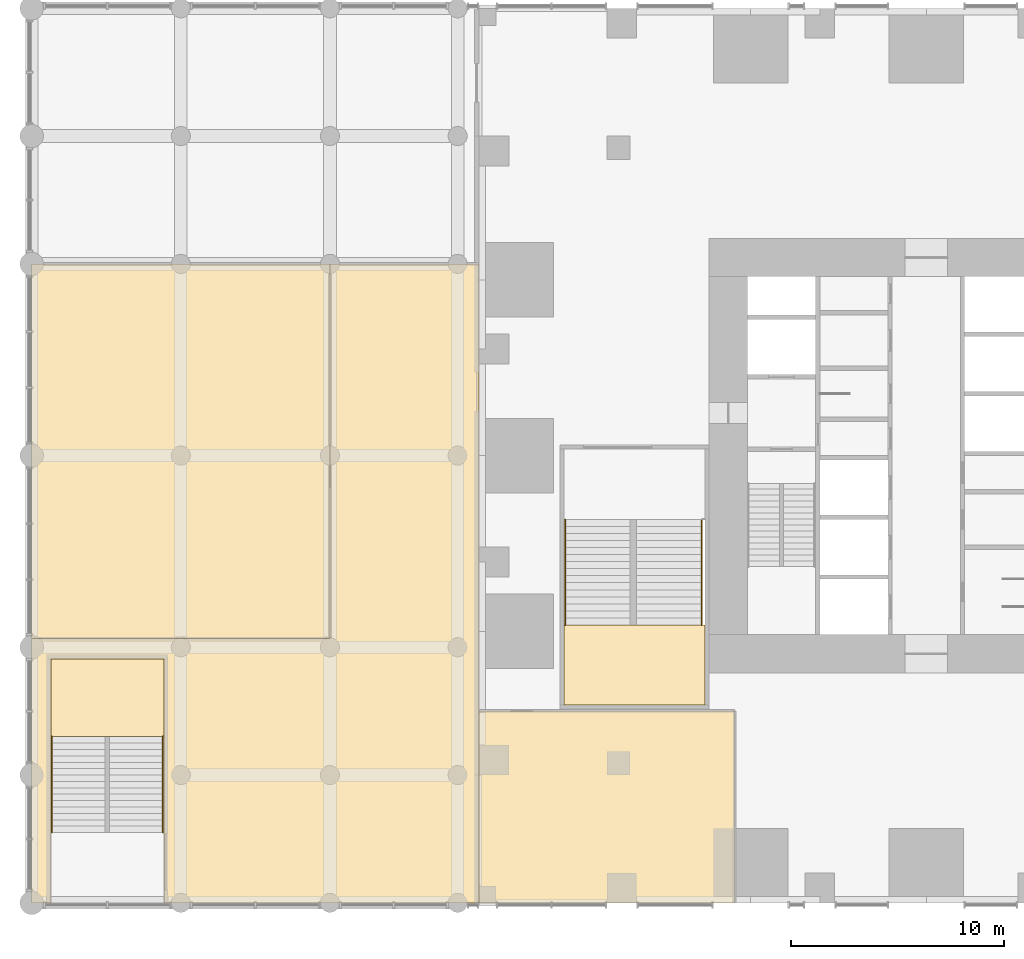
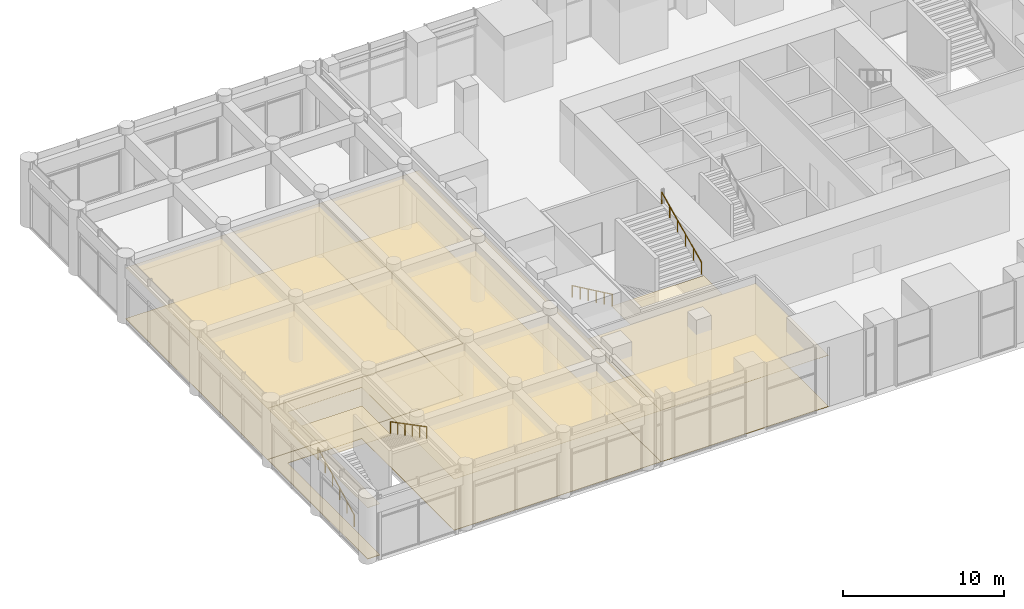
# One storey, part 19 of 23: 8 coverings, 4 railings.
"""IFC4 building model written with IfcOpenShell, lengths in metres."""

import ifcopenshell
import ifcopenshell.guid

model = None  # the IFC model being written
_history = None  # IfcOwnerHistory: only IFC2X3 demands one
_inside = {}  # id of a spatial element -> (the spatial element, [elements in it])
_under = {}  # id of a project, library or spatial element -> (it, [spatial elements below it])
_declared = {}  # id of a project -> (the project, [libraries it declares])
_typed = {}  # id of a type object -> (the type object, [elements of that type])
_made_of = {}  # id of a material, layer set ... -> (it, [elements and type objects made of it])


def new_model(schema):
    """Start an empty IFC model of exactly this schema.

    Asked for "IFC4X3", IfcOpenShell would pick the latest addendum, in which some entities
    have other attributes; the version numbers below select the first issue.
    IFC2X3 requires an IfcOwnerHistory on every rooted entity: one is made here for all.
    """
    global model, _history
    if schema == "IFC4X3":
        model = ifcopenshell.file(schema_version=(4, 3, 0, 0))
    else:
        model = ifcopenshell.file(schema=schema)
    _inside.clear()
    _under.clear()
    _declared.clear()
    _typed.clear()
    _made_of.clear()
    _history = None
    if model.schema == "IFC2X3":
        org = make("IfcOrganization", Name="unknown")
        user = make(
            "IfcPersonAndOrganization",
            ThePerson=make("IfcPerson", FamilyName="unknown"),
            TheOrganization=org,
        )
        app = make(
            "IfcApplication",
            ApplicationDeveloper=org,
            Version="unknown",
            ApplicationFullName="unknown",
            ApplicationIdentifier="unknown",
        )
        _history = make(
            "IfcOwnerHistory",
            OwningUser=user,
            OwningApplication=app,
            ChangeAction="ADDED",
            CreationDate=0,
        )
    return model


def make(cls, **values):
    """One entity of the class cls with the attributes given. An attribute that is None is left unset."""
    return model.create_entity(
        cls, **{name: value for name, value in values.items() if value is not None}
    )


def rooted(cls, **values):
    """An entity with a GlobalId (a new one), such as an element, a storey or a relation."""
    return make(cls, GlobalId=ifcopenshell.guid.new(), OwnerHistory=_history, **values)


def si_unit(unit_type, name, prefix=None):
    """IfcSIUnit, for example si_unit("LENGTHUNIT", "METRE", prefix="MILLI")."""
    return make("IfcSIUnit", UnitType=unit_type, Prefix=prefix, Name=name)


def assignment(units):
    """IfcUnitAssignment: the units of a project."""
    return None if units is None else make("IfcUnitAssignment", Units=units)


def point(xyz):
    """IfcCartesianPoint."""
    return None if xyz is None else make("IfcCartesianPoint", Coordinates=xyz)


def direction(xyz):
    """IfcDirection."""
    return None if xyz is None else make("IfcDirection", DirectionRatios=xyz)


def frame(location, z_axis=None, x_axis=None):
    """IfcAxis2Placement3D, a coordinate frame: its origin and axes. An axis left out is left unset."""
    return make(
        "IfcAxis2Placement3D",
        Location=point(location),
        Axis=direction(z_axis),
        RefDirection=direction(x_axis),
    )


def frame_2d(location, x_axis=None):
    """IfcAxis2Placement2D, a coordinate frame in the plane: its origin and x axis."""
    return make(
        "IfcAxis2Placement2D", Location=point(location), RefDirection=direction(x_axis)
    )


def origin():
    """The frame at (0, 0, 0) with its axes left unset."""
    return frame((0.0, 0.0, 0.0))


def origin_2d():
    """The frame at (0, 0) in the plane with its x axis left unset."""
    return frame_2d((0.0, 0.0))


def place(relative_to, where):
    """IfcLocalPlacement: puts the frame where relative to a parent placement (None: the world)."""
    return make(
        "IfcLocalPlacement", PlacementRelTo=relative_to, RelativePlacement=where
    )


def context(
    kind, dimensions, precision=None, world=None, true_north=None, identifier=None
):
    """IfcGeometricRepresentationContext, for example the 3D "Model" context."""
    return make(
        "IfcGeometricRepresentationContext",
        ContextIdentifier=identifier,
        ContextType=kind,
        CoordinateSpaceDimension=dimensions,
        Precision=precision,
        WorldCoordinateSystem=world,
        TrueNorth=true_north,
    )


def subcontext(parent, identifier, kind, view, scale=None):
    """IfcGeometricRepresentationSubContext, for example "Body" below "Model"."""
    return make(
        "IfcGeometricRepresentationSubContext",
        ContextIdentifier=identifier,
        ContextType=kind,
        ParentContext=parent,
        TargetScale=scale,
        TargetView=view,
    )


def project(units=None, contexts=None):
    """IfcProject with its units and contexts."""
    return rooted(
        "IfcProject",
        Name="project",
        RepresentationContexts=contexts,
        UnitsInContext=assignment(units),
    )


def spatial(cls, under=None, at=None, **own):
    """A site, building, storey or space (cls), placed at a placement, below another one or the project."""
    s = rooted(cls, ObjectPlacement=at, **own)
    if under is not None:
        _under.setdefault(under.id(), (under, []))[1].append(s)
    return s


def polyline(points):
    """IfcPolyline through the points."""
    return make("IfcPolyline", Points=[point(p) for p in points])


def profile(cls, at=None, kind="AREA", **sizes):
    """A parametric profile (cls). Its sizes go by their IFC names, for example OverallWidth=200.0."""
    return make(cls, ProfileType=kind, Position=at, **sizes)


def circle(**sizes):
    """IfcCircleProfileDef."""
    return profile("IfcCircleProfileDef", **sizes)


def outline(outer, holes=None, kind="AREA"):
    """IfcArbitraryClosedProfileDef: a profile drawn as a closed curve; with holes, ...WithVoids."""
    if holes is None:
        return make("IfcArbitraryClosedProfileDef", ProfileType=kind, OuterCurve=outer)
    return make(
        "IfcArbitraryProfileDefWithVoids",
        ProfileType=kind,
        OuterCurve=outer,
        InnerCurves=holes,
    )


def extrude(swept, where, along, depth):
    """IfcExtrudedAreaSolid: the profile swept, set in the frame where, extruded along a direction by depth."""
    return make(
        "IfcExtrudedAreaSolid",
        SweptArea=swept,
        Position=where,
        ExtrudedDirection=direction(along),
        Depth=depth,
    )


def shape(context_of_items, identifier, shape_type, items):
    """IfcShapeRepresentation: the items that make up one representation, for example the "Body"."""
    return make(
        "IfcShapeRepresentation",
        ContextOfItems=context_of_items,
        RepresentationIdentifier=identifier,
        RepresentationType=shape_type,
        Items=items,
    )


def material(Name=None, Category=None):
    """IfcMaterial."""
    return make("IfcMaterial", Name=Name, Category=Category)


def layer(
    of_material, thickness, ventilated=None, Name=None, Category=None, Priority=None
):
    """IfcMaterialLayer: one layer of a wall or slab, of a material (None: an air gap)."""
    return make(
        "IfcMaterialLayer",
        Material=of_material,
        LayerThickness=thickness,
        IsVentilated=ventilated,
        Name=Name,
        Category=Category,
        Priority=Priority,
    )


def layer_set(layers, Name=None):
    """IfcMaterialLayerSet."""
    return make("IfcMaterialLayerSet", MaterialLayers=layers, LayerSetName=Name)


def made_of(thing, what):
    """Note that an element or type object is made of a material, layer set ...; save() writes the relation."""
    if what is not None:
        _made_of.setdefault(what.id(), (what, []))[1].append(thing)
    return thing


def type_object(cls, material=None, **own):
    """A type object (cls), such as IfcWallType, which elements share."""
    return made_of(rooted(cls, **own), material)


def element(
    cls,
    number,
    at=None,
    inside=None,
    cuts=None,
    type_object=None,
    material=None,
    context=None,
    identifier="Body",
    shape_type=None,
    held_by="IfcProductDefinitionShape",
    body=None,
    shapes=None,
    **own,
):
    """One element of the class cls, such as IfcWall. Its Tag is "e" and its number.

    at: its placement. inside: the storey or other place that contains it. cuts: it is an
    opening in that element (IfcRelVoidsElement). A single representation is given by context,
    identifier, shape_type and body (its items); several are given by shapes. held_by: the class
    of the entity that holds the representations. save() writes the other relations.
    """
    e = rooted(cls, Tag="e%d" % number, ObjectPlacement=at, **own)
    if body is not None:
        shapes = [shape(context, identifier, shape_type, body)]
    if shapes is not None:
        e.Representation = make(held_by, Representations=shapes)
    if inside is not None:
        _inside.setdefault(inside.id(), (inside, []))[1].append(e)
    if cuts is not None:
        rooted(
            "IfcRelVoidsElement", RelatingBuildingElement=cuts, RelatedOpeningElement=e
        )
    if type_object is not None:
        _typed.setdefault(type_object.id(), (type_object, []))[1].append(e)
    return made_of(e, material)


def aggregate(whole, parts):
    """IfcRelAggregates: a whole, such as a stair, and the parts it consists of."""
    return rooted("IfcRelAggregates", RelatingObject=whole, RelatedObjects=parts)


def save(model, path):
    """Write the relations noted so far, then the file.

    IfcRelAggregates (storeys below a building ...), IfcRelContainedInSpatialStructure (elements
    in a storey), IfcRelDefinesByType, IfcRelAssociatesMaterial and IfcRelDeclares: one each for
    every whole, place, type object, material and project.
    """
    for whole, parts in _under.values():
        aggregate(whole, parts)
    for where, things in _inside.values():
        rooted(
            "IfcRelContainedInSpatialStructure",
            RelatedElements=things,
            RelatingStructure=where,
        )
    for kind, things in _typed.values():
        rooted("IfcRelDefinesByType", RelatedObjects=things, RelatingType=kind)
    for what, things in _made_of.values():
        rooted("IfcRelAssociatesMaterial", RelatedObjects=things, RelatingMaterial=what)
    for by, libraries in _declared.values():
        rooted("IfcRelDeclares", RelatingContext=by, RelatedDefinitions=libraries)
    model.write(path)


model = new_model("IFC4")

# Units and contexts
model_context = context("Model", 3, precision=1e-05, world=origin(), true_north=direction((0.0, 1.0)))
body_context = subcontext(model_context, "Body", "Model", "MODEL_VIEW")
ifc_project = project(units=[si_unit("LENGTHUNIT", "METRE"), si_unit("AREAUNIT", "SQUARE_METRE"), si_unit("VOLUMEUNIT", "CUBIC_METRE"), si_unit("PLANEANGLEUNIT", "RADIAN"), si_unit("MASSUNIT", "GRAM", prefix="KILO")], contexts=[model_context])

# Site, building, storey
site_placement = place(None, origin())
site = spatial("IfcSite", under=ifc_project, at=site_placement, CompositionType="ELEMENT")
building_placement = place(site_placement, origin())
building = spatial("IfcBuilding", under=site, at=building_placement, Name="Svetlomir Tower", CompositionType="ELEMENT")
storey_placement = place(building_placement, frame((0.0, 0.0, 6.0)))
storey = spatial("IfcBuildingStorey", under=building, at=storey_placement, Name="L01", CompositionType="ELEMENT", Elevation=6.0)

# Railings
ifc_material_1 = material(Name="Stainless steel", Category="steel")
railing_type = type_object("IfcRailingType", Name="HANDRAIL HR1 900", PredefinedType="HANDRAIL", material=ifc_material_1)
railing_1_placement = place(storey_placement, frame((4.050048828125, 18.0, 0.15625)))
element("IfcRailing", 1, at=railing_1_placement, inside=storey, type_object=railing_type, Name="Handrail P1 flight 1 L01", PredefinedType="HANDRAIL", context=body_context, shape_type="SweptSolid", body=[
    extrude(circle(Radius=0.02392578125, at=origin_2d()), frame((0.0, 0.0, 0.8759765625), z_axis=(0.0, -0.903805903746, 0.427942622736), x_axis=(1.0, 0.0, 0.0)), (0.0, 0.0, 1.0), 5.476806640625),
    extrude(circle(Radius=0.02099609375, at=origin_2d()), origin(), (0.0, 0.0, 1.0), 0.851806640625),
    extrude(circle(Radius=0.02099609375, at=origin_2d()), frame((0.0, -0.989990234375, 0.46875)), (0.0, 0.0, 1.0), 0.851806640625),
    extrude(circle(Radius=0.02099609375, at=origin_2d()), frame((0.0, -1.97998046875, 0.9375)), (0.0, 0.0, 1.0), 0.851806640625),
    extrude(circle(Radius=0.02099609375, at=origin_2d()), frame((0.0, -2.969970703125, 1.40625)), (0.0, 0.0, 1.0), 0.851806640625),
    extrude(circle(Radius=0.02099609375, at=origin_2d()), frame((0.0, -3.9599609375, 1.875)), (0.0, 0.0, 1.0), 0.851806640625),
    extrude(circle(Radius=0.02099609375, at=origin_2d()), frame((0.0, -4.949951171875, 2.34375)), (0.0, 0.0, 1.0), 0.851806640625),
])
railing_2_placement = place(storey_placement, frame((10.449951171875, 13.050048828125, 2.65625)))
element("IfcRailing", 2, at=railing_2_placement, inside=storey, type_object=railing_type, Name="Handrail P1 flight 2 L01", PredefinedType="HANDRAIL", context=body_context, shape_type="SweptSolid", body=[
    extrude(circle(Radius=0.02392578125, at=origin_2d()), frame((0.0, 0.0, 0.8759765625), z_axis=(0.0, 0.903805903746, 0.427942622736), x_axis=(-1.0, 0.0, 0.0)), (0.0, 0.0, 1.0), 5.476806640625),
    extrude(circle(Radius=0.02099609375, at=origin_2d()), origin(), (0.0, 0.0, 1.0), 0.851806640625),
    extrude(circle(Radius=0.02099609375, at=origin_2d()), frame((0.0, 0.989990234375, 0.46875)), (0.0, 0.0, 1.0), 0.851806640625),
    extrude(circle(Radius=0.02099609375, at=origin_2d()), frame((0.0, 1.97998046875, 0.9375)), (0.0, 0.0, 1.0), 0.851806640625),
    extrude(circle(Radius=0.02099609375, at=origin_2d()), frame((0.0, 2.969970703125, 1.40625)), (0.0, 0.0, 1.0), 0.851806640625),
    extrude(circle(Radius=0.02099609375, at=origin_2d()), frame((0.0, 3.9599609375, 1.875)), (0.0, 0.0, 1.0), 0.851806640625),
    extrude(circle(Radius=0.02099609375, at=origin_2d()), frame((0.0, 4.949951171875, 2.34375)), (0.0, 0.0, 1.0), 0.851806640625),
])
railing_3_placement = place(storey_placement, frame((-20.050048828125, 3.300048828125, 0.15625)))
element("IfcRailing", 3, at=railing_3_placement, inside=storey, type_object=railing_type, Name="Handrail P3 flight 1 L01", PredefinedType="HANDRAIL", context=body_context, shape_type="SweptSolid", body=[
    extrude(circle(Radius=0.02392578125, at=origin_2d()), frame((0.0, 0.0, 0.8759765625), z_axis=(0.0, 0.886914084167, 0.461934418837), x_axis=(-1.0, 0.0, 0.0)), (0.0, 0.0, 1.0), 5.07373046875),
    extrude(circle(Radius=0.02099609375, at=origin_2d()), origin(), (0.0, 0.0, 1.0), 0.851806640625),
    extrude(circle(Radius=0.02099609375, at=origin_2d()), frame((0.0, 0.89990234375, 0.46875)), (0.0, 0.0, 1.0), 0.851806640625),
    extrude(circle(Radius=0.02099609375, at=origin_2d()), frame((0.0, 1.800048828125, 0.9375)), (0.0, 0.0, 1.0), 0.851806640625),
    extrude(circle(Radius=0.02099609375, at=origin_2d()), frame((0.0, 2.699951171875, 1.40625)), (0.0, 0.0, 1.0), 0.851806640625),
    extrude(circle(Radius=0.02099609375, at=origin_2d()), frame((0.0, 3.60009765625, 1.875)), (0.0, 0.0, 1.0), 0.851806640625),
    extrude(circle(Radius=0.02099609375, at=origin_2d()), frame((0.0, 4.5, 2.34375)), (0.0, 0.0, 1.0), 0.851806640625),
])
railing_4_placement = place(storey_placement, frame((-14.85009765625, 7.800048828125, 2.65625)))
element("IfcRailing", 4, at=railing_4_placement, inside=storey, type_object=railing_type, Name="Handrail P3 flight 2 L01", PredefinedType="HANDRAIL", context=body_context, shape_type="SweptSolid", body=[
    extrude(circle(Radius=0.02392578125, at=origin_2d()), frame((0.0, 0.0, 0.8759765625), z_axis=(0.0, -0.886914084167, 0.461934418837), x_axis=(1.0, 0.0, 0.0)), (0.0, 0.0, 1.0), 5.07373046875),
    extrude(circle(Radius=0.02099609375, at=origin_2d()), origin(), (0.0, 0.0, 1.0), 0.851806640625),
    extrude(circle(Radius=0.02099609375, at=origin_2d()), frame((0.0, -0.89990234375, 0.46875)), (0.0, 0.0, 1.0), 0.851806640625),
    extrude(circle(Radius=0.02099609375, at=origin_2d()), frame((0.0, -1.800048828125, 0.9375)), (0.0, 0.0, 1.0), 0.851806640625),
    extrude(circle(Radius=0.02099609375, at=origin_2d()), frame((0.0, -2.699951171875, 1.40625)), (0.0, 0.0, 1.0), 0.851806640625),
    extrude(circle(Radius=0.02099609375, at=origin_2d()), frame((0.0, -3.60009765625, 1.875)), (0.0, 0.0, 1.0), 0.851806640625),
    extrude(circle(Radius=0.02099609375, at=origin_2d()), frame((0.0, -4.5, 2.34375)), (0.0, 0.0, 1.0), 0.851806640625),
])

# Coverings
ifc_material_2 = material(Name="Gypsum plasterboard ceiling", Category="gypsum")
ifc_layer_1 = layer(ifc_material_2, 0.014892578125)
ifc_layer_set_1 = layer_set([ifc_layer_1], Name="Gypsum plasterboard ceiling")
covering_type_1 = type_object("IfcCoveringType", Name="PLASTERBOARD CEILING 15", PredefinedType="CEILING", material=ifc_layer_set_1)
covering_1_placement = place(storey_placement, frame((0.0, 0.0, 3.885009765625)))
element("IfcCovering", 5, at=covering_1_placement, inside=storey, type_object=covering_type_1, Name="Ceiling L01-13", PredefinedType="CEILING", context=body_context, shape_type="SweptSolid", body=[
    extrude(outline(polyline([(-21.0, 12.39990234375), (-7.0, 12.39990234375), (-7.0, 30.0), (-21.0, 30.0), (-21.0, 12.39990234375)])), origin(), (0.0, 0.0, 1.0), 0.014892578125),
])
covering_2_placement = place(storey_placement, frame((0.0, 0.0, 3.885009765625)))
element("IfcCovering", 6, at=covering_2_placement, inside=storey, type_object=covering_type_1, Name="Ceiling L01-15", PredefinedType="CEILING", context=body_context, shape_type="SweptSolid", body=[
    extrude(outline(polyline([(0.0, 0.0), (12.0, 0.0), (12.0, 9.0), (0.0, 9.0), (0.0, 0.0)])), origin(), (0.0, 0.0, 1.0), 0.014892578125),
])
covering_3_placement = place(storey_placement, frame((0.0, 0.0, 3.885009765625)))
element("IfcCovering", 7, at=covering_3_placement, inside=storey, type_object=covering_type_1, Name="Ceiling L01-22", PredefinedType="CEILING", context=body_context, shape_type="SweptSolid", body=[
    extrude(outline(polyline([(-21.0, 0.0), (-21.0, 12.39990234375), (-7.0, 12.39990234375), (-7.0, 30.0), (0.0, 30.0), (0.0, 0.0), (-14.800048828125, 0.0), (-14.800048828125, 11.449951171875), (-20.10009765625, 11.449951171875), (-20.10009765625, 0.0), (-21.0, 0.0)])), origin(), (0.0, 0.0, 1.0), 0.014892578125),
])
ifc_material_3 = material(Name="Studded rubber floor finish", Category="rubber")
ifc_layer_2 = layer(ifc_material_3, 0.006103515625)
ifc_layer_set_2 = layer_set([ifc_layer_2], Name="Studded rubber floor finish")
covering_type_2 = type_object("IfcCoveringType", Name="RUBBER LANDING FINISH 6", PredefinedType="FLOORING", material=ifc_layer_set_2)
covering_4_placement = place(storey_placement, frame((0.0, 0.0, 2.5)))
element("IfcCovering", 8, at=covering_4_placement, inside=storey, type_object=covering_type_2, Name="Stair P1 landing finish L01", PredefinedType="FLOORING", context=body_context, shape_type="SweptSolid", body=[
    extrude(outline(polyline([(4.0, 9.300048828125), (10.60009765625, 9.300048828125), (10.60009765625, 13.050048828125), (4.0, 13.050048828125), (4.0, 9.300048828125)])), origin(), (0.0, 0.0, 1.0), 0.006103515625),
])
covering_5_placement = place(storey_placement, frame((0.0, 0.0, 2.5)))
element("IfcCovering", 9, at=covering_5_placement, inside=storey, type_object=covering_type_2, Name="Stair P3 landing finish L01", PredefinedType="FLOORING", context=body_context, shape_type="SweptSolid", body=[
    extrude(outline(polyline([(-20.10009765625, 7.800048828125), (-14.800048828125, 7.800048828125), (-14.800048828125, 11.449951171875), (-20.10009765625, 11.449951171875), (-20.10009765625, 7.800048828125)])), origin(), (0.0, 0.0, 1.0), 0.006103515625),
])
ifc_material_4 = material(Name="Bronze-aggregate terrazzo", Category="stone")
ifc_layer_3 = layer(ifc_material_4, 0.030029296875)
ifc_layer_set_3 = layer_set([ifc_layer_3], Name="Bronze-aggregate terrazzo")
covering_type_3 = type_object("IfcCoveringType", Name="TERRAZZO FLOOR 30", PredefinedType="FLOORING", material=ifc_layer_set_3)
covering_6_placement = place(storey_placement, origin())
element("IfcCovering", 10, at=covering_6_placement, inside=storey, type_object=covering_type_3, Name="Floor finish L01-13", PredefinedType="FLOORING", context=body_context, shape_type="SweptSolid", body=[
    extrude(outline(polyline([(-21.0, 12.39990234375), (-7.0, 12.39990234375), (-7.0, 30.0), (-21.0, 30.0), (-21.0, 12.39990234375)])), origin(), (0.0, 0.0, 1.0), 0.030029296875),
])
covering_7_placement = place(storey_placement, origin())
element("IfcCovering", 11, at=covering_7_placement, inside=storey, type_object=covering_type_3, Name="Floor finish L01-15", PredefinedType="FLOORING", context=body_context, shape_type="SweptSolid", body=[
    extrude(outline(polyline([(0.0, 0.0), (12.0, 0.0), (12.0, 9.0), (0.0, 9.0), (0.0, 0.0)])), origin(), (0.0, 0.0, 1.0), 0.030029296875),
])
covering_8_placement = place(storey_placement, origin())
element("IfcCovering", 12, at=covering_8_placement, inside=storey, type_object=covering_type_3, Name="Floor finish L01-22", PredefinedType="FLOORING", context=body_context, shape_type="SweptSolid", body=[
    extrude(outline(polyline([(-21.0, 0.0), (-21.0, 12.39990234375), (-7.0, 12.39990234375), (-7.0, 30.0), (0.0, 30.0), (0.0, 0.0), (-14.800048828125, 0.0), (-14.800048828125, 11.449951171875), (-20.10009765625, 11.449951171875), (-20.10009765625, 0.0), (-21.0, 0.0)])), origin(), (0.0, 0.0, 1.0), 0.030029296875),
])

save(model, "model.ifc")
